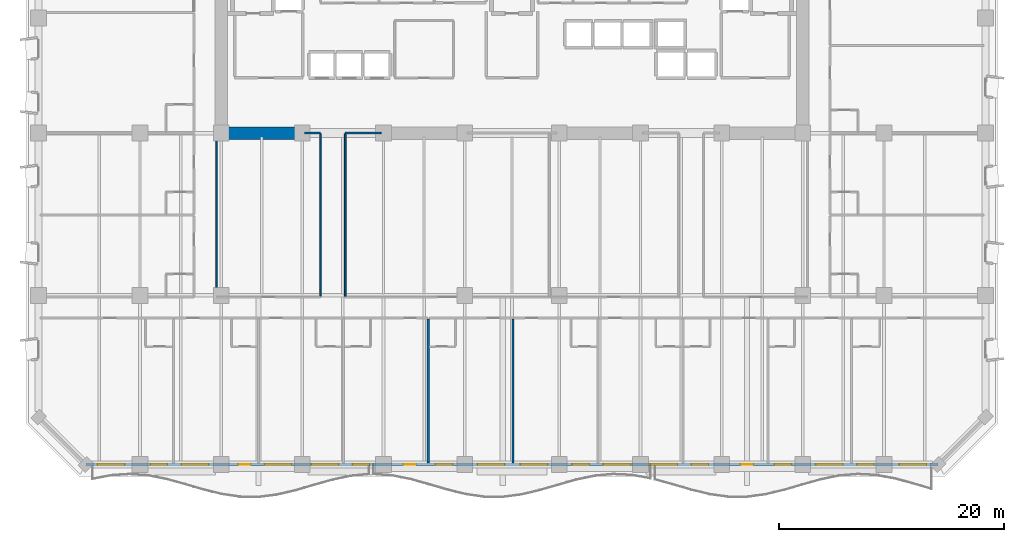
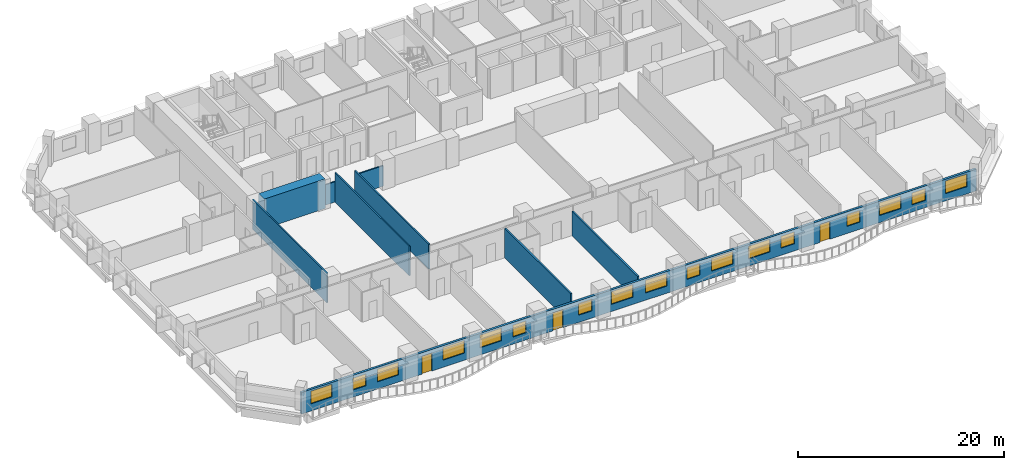
# One storey, part 5 of 15: 17 windows, 9 walls, 3 doors, 20 openings.
"""IFC4 building model written with IfcOpenShell, lengths in metres."""

import ifcopenshell
import ifcopenshell.guid

model = None  # the IFC model being written
_history = None  # IfcOwnerHistory: only IFC2X3 demands one
_inside = {}  # id of a spatial element -> (the spatial element, [elements in it])
_under = {}  # id of a project, library or spatial element -> (it, [spatial elements below it])
_declared = {}  # id of a project -> (the project, [libraries it declares])
_typed = {}  # id of a type object -> (the type object, [elements of that type])
_made_of = {}  # id of a material, layer set ... -> (it, [elements and type objects made of it])


def new_model(schema):
    """Start an empty IFC model of exactly this schema.

    Asked for "IFC4X3", IfcOpenShell would pick the latest addendum, in which some entities
    have other attributes; the version numbers below select the first issue.
    IFC2X3 requires an IfcOwnerHistory on every rooted entity: one is made here for all.
    """
    global model, _history
    if schema == "IFC4X3":
        model = ifcopenshell.file(schema_version=(4, 3, 0, 0))
    else:
        model = ifcopenshell.file(schema=schema)
    _inside.clear()
    _under.clear()
    _declared.clear()
    _typed.clear()
    _made_of.clear()
    _history = None
    if model.schema == "IFC2X3":
        org = make("IfcOrganization", Name="unknown")
        user = make(
            "IfcPersonAndOrganization",
            ThePerson=make("IfcPerson", FamilyName="unknown"),
            TheOrganization=org,
        )
        app = make(
            "IfcApplication",
            ApplicationDeveloper=org,
            Version="unknown",
            ApplicationFullName="unknown",
            ApplicationIdentifier="unknown",
        )
        _history = make(
            "IfcOwnerHistory",
            OwningUser=user,
            OwningApplication=app,
            ChangeAction="ADDED",
            CreationDate=0,
        )
    return model


def make(cls, **values):
    """One entity of the class cls with the attributes given. An attribute that is None is left unset."""
    return model.create_entity(
        cls, **{name: value for name, value in values.items() if value is not None}
    )


def rooted(cls, **values):
    """An entity with a GlobalId (a new one), such as an element, a storey or a relation."""
    return make(cls, GlobalId=ifcopenshell.guid.new(), OwnerHistory=_history, **values)


def si_unit(unit_type, name, prefix=None):
    """IfcSIUnit, for example si_unit("LENGTHUNIT", "METRE", prefix="MILLI")."""
    return make("IfcSIUnit", UnitType=unit_type, Prefix=prefix, Name=name)


def assignment(units):
    """IfcUnitAssignment: the units of a project."""
    return None if units is None else make("IfcUnitAssignment", Units=units)


def point(xyz):
    """IfcCartesianPoint."""
    return None if xyz is None else make("IfcCartesianPoint", Coordinates=xyz)


def direction(xyz):
    """IfcDirection."""
    return None if xyz is None else make("IfcDirection", DirectionRatios=xyz)


def frame(location, z_axis=None, x_axis=None):
    """IfcAxis2Placement3D, a coordinate frame: its origin and axes. An axis left out is left unset."""
    return make(
        "IfcAxis2Placement3D",
        Location=point(location),
        Axis=direction(z_axis),
        RefDirection=direction(x_axis),
    )


def frame_2d(location, x_axis=None):
    """IfcAxis2Placement2D, a coordinate frame in the plane: its origin and x axis."""
    return make(
        "IfcAxis2Placement2D", Location=point(location), RefDirection=direction(x_axis)
    )


def origin():
    """The frame at (0, 0, 0) with its axes left unset."""
    return frame((0.0, 0.0, 0.0))


def place(relative_to, where):
    """IfcLocalPlacement: puts the frame where relative to a parent placement (None: the world)."""
    return make(
        "IfcLocalPlacement", PlacementRelTo=relative_to, RelativePlacement=where
    )


def context(
    kind, dimensions, precision=None, world=None, true_north=None, identifier=None
):
    """IfcGeometricRepresentationContext, for example the 3D "Model" context."""
    return make(
        "IfcGeometricRepresentationContext",
        ContextIdentifier=identifier,
        ContextType=kind,
        CoordinateSpaceDimension=dimensions,
        Precision=precision,
        WorldCoordinateSystem=world,
        TrueNorth=true_north,
    )


def subcontext(parent, identifier, kind, view, scale=None):
    """IfcGeometricRepresentationSubContext, for example "Body" below "Model"."""
    return make(
        "IfcGeometricRepresentationSubContext",
        ContextIdentifier=identifier,
        ContextType=kind,
        ParentContext=parent,
        TargetScale=scale,
        TargetView=view,
    )


def project(units=None, contexts=None):
    """IfcProject with its units and contexts."""
    return rooted(
        "IfcProject",
        Name="project",
        RepresentationContexts=contexts,
        UnitsInContext=assignment(units),
    )


def spatial(cls, under=None, at=None, **own):
    """A site, building, storey or space (cls), placed at a placement, below another one or the project."""
    s = rooted(cls, ObjectPlacement=at, **own)
    if under is not None:
        _under.setdefault(under.id(), (under, []))[1].append(s)
    return s


def profile(cls, at=None, kind="AREA", **sizes):
    """A parametric profile (cls). Its sizes go by their IFC names, for example OverallWidth=200.0."""
    return make(cls, ProfileType=kind, Position=at, **sizes)


def rectangle(**sizes):
    """IfcRectangleProfileDef."""
    return profile("IfcRectangleProfileDef", **sizes)


def extrude(swept, where, along, depth):
    """IfcExtrudedAreaSolid: the profile swept, set in the frame where, extruded along a direction by depth."""
    return make(
        "IfcExtrudedAreaSolid",
        SweptArea=swept,
        Position=where,
        ExtrudedDirection=direction(along),
        Depth=depth,
    )


def shape(context_of_items, identifier, shape_type, items):
    """IfcShapeRepresentation: the items that make up one representation, for example the "Body"."""
    return make(
        "IfcShapeRepresentation",
        ContextOfItems=context_of_items,
        RepresentationIdentifier=identifier,
        RepresentationType=shape_type,
        Items=items,
    )


def material(Name=None, Category=None):
    """IfcMaterial."""
    return make("IfcMaterial", Name=Name, Category=Category)


def layer(
    of_material, thickness, ventilated=None, Name=None, Category=None, Priority=None
):
    """IfcMaterialLayer: one layer of a wall or slab, of a material (None: an air gap)."""
    return make(
        "IfcMaterialLayer",
        Material=of_material,
        LayerThickness=thickness,
        IsVentilated=ventilated,
        Name=Name,
        Category=Category,
        Priority=Priority,
    )


def layer_set(layers, Name=None):
    """IfcMaterialLayerSet."""
    return make("IfcMaterialLayerSet", MaterialLayers=layers, LayerSetName=Name)


def made_of(thing, what):
    """Note that an element or type object is made of a material, layer set ...; save() writes the relation."""
    if what is not None:
        _made_of.setdefault(what.id(), (what, []))[1].append(thing)
    return thing


def type_object(cls, material=None, **own):
    """A type object (cls), such as IfcWallType, which elements share."""
    return made_of(rooted(cls, **own), material)


def element(
    cls,
    number,
    at=None,
    inside=None,
    cuts=None,
    type_object=None,
    material=None,
    context=None,
    identifier="Body",
    shape_type=None,
    held_by="IfcProductDefinitionShape",
    body=None,
    shapes=None,
    **own,
):
    """One element of the class cls, such as IfcWall. Its Tag is "e" and its number.

    at: its placement. inside: the storey or other place that contains it. cuts: it is an
    opening in that element (IfcRelVoidsElement). A single representation is given by context,
    identifier, shape_type and body (its items); several are given by shapes. held_by: the class
    of the entity that holds the representations. save() writes the other relations.
    """
    e = rooted(cls, Tag="e%d" % number, ObjectPlacement=at, **own)
    if body is not None:
        shapes = [shape(context, identifier, shape_type, body)]
    if shapes is not None:
        e.Representation = make(held_by, Representations=shapes)
    if inside is not None:
        _inside.setdefault(inside.id(), (inside, []))[1].append(e)
    if cuts is not None:
        rooted(
            "IfcRelVoidsElement", RelatingBuildingElement=cuts, RelatedOpeningElement=e
        )
    if type_object is not None:
        _typed.setdefault(type_object.id(), (type_object, []))[1].append(e)
    return made_of(e, material)


def fill(opening, filler):
    """IfcRelFillsElement: the door or window that sits in an opening."""
    return rooted(
        "IfcRelFillsElement",
        RelatingOpeningElement=opening,
        RelatedBuildingElement=filler,
    )


def aggregate(whole, parts):
    """IfcRelAggregates: a whole, such as a stair, and the parts it consists of."""
    return rooted("IfcRelAggregates", RelatingObject=whole, RelatedObjects=parts)


def save(model, path):
    """Write the relations noted so far, then the file.

    IfcRelAggregates (storeys below a building ...), IfcRelContainedInSpatialStructure (elements
    in a storey), IfcRelDefinesByType, IfcRelAssociatesMaterial and IfcRelDeclares: one each for
    every whole, place, type object, material and project.
    """
    for whole, parts in _under.values():
        aggregate(whole, parts)
    for where, things in _inside.values():
        rooted(
            "IfcRelContainedInSpatialStructure",
            RelatedElements=things,
            RelatingStructure=where,
        )
    for kind, things in _typed.values():
        rooted("IfcRelDefinesByType", RelatedObjects=things, RelatingType=kind)
    for what, things in _made_of.values():
        rooted("IfcRelAssociatesMaterial", RelatedObjects=things, RelatingMaterial=what)
    for by, libraries in _declared.values():
        rooted("IfcRelDeclares", RelatingContext=by, RelatedDefinitions=libraries)
    model.write(path)


model = new_model("IFC4")

# Units and contexts
model_context = context("Model", 3, precision=1e-05, world=origin(), true_north=direction((0.0, 1.0)))
body_context = subcontext(model_context, "Body", "Model", "MODEL_VIEW")
ifc_project = project(units=[si_unit("LENGTHUNIT", "METRE"), si_unit("AREAUNIT", "SQUARE_METRE"), si_unit("VOLUMEUNIT", "CUBIC_METRE"), si_unit("PLANEANGLEUNIT", "RADIAN"), si_unit("MASSUNIT", "GRAM", prefix="KILO")], contexts=[model_context])

# Site, building, storey
site_placement = place(None, origin())
site = spatial("IfcSite", under=ifc_project, at=site_placement, CompositionType="ELEMENT")
building_placement = place(site_placement, origin())
building = spatial("IfcBuilding", under=site, at=building_placement, Name="Kaelvorn Grand Hotel", CompositionType="ELEMENT")
storey_placement = place(building_placement, frame((0.0, 0.0, 65.14990234375)))
storey = spatial("IfcBuildingStorey", under=building, at=storey_placement, Name="L14", CompositionType="ELEMENT", Elevation=65.14990234375)

# Wall
ifc_material_1 = material(Name="Concrete C80/95", Category="concrete")
ifc_layer_1 = layer(ifc_material_1, 1.10009765625)
ifc_layer_set_1 = layer_set([ifc_layer_1], Name="Concrete C80/95")
wall_type_1 = type_object("IfcWallType", Name="WL-CORE-1100-C80", PredefinedType="SHEAR", material=ifc_layer_set_1)
wall_1_placement = place(storey_placement, frame((16.7548828125, 29.39990234375, 0.0), z_axis=(0.0, 0.0, 1.0), x_axis=(1.0, 0.0, 0.0)))
element("IfcWall", 1, at=wall_1_placement, inside=storey, type_object=wall_type_1, Name="L14 Rear-Core Coupled Shear Pier S1", PredefinedType="SHEAR", context=body_context, shape_type="SweptSolid", body=[
    extrude(rectangle(XDim=6.84521484375, YDim=1.10009765625, at=frame_2d((3.422607421875, 0.0))), origin(), (0.0, 0.0, 1.0), 3.510009765625),
])

# Wall, openings, doors, windows
ifc_material_2 = material(Name="Concrete C40/50", Category="concrete")
ifc_layer_2 = layer(ifc_material_2, 0.260009765625)
ifc_layer_set_2 = layer_set([ifc_layer_2], Name="Concrete C40/50")
wall_type_2 = type_object("IfcWallType", Name="WL-EXT-260-C40", PredefinedType="SOLIDWALL", material=ifc_layer_set_2)
wall_2_placement = place(storey_placement, frame((4.199951171875, 0.0, 0.0), z_axis=(0.0, 0.0, 1.0), x_axis=(1.0, 0.0, 0.0)))
wall_2 = element("IfcWall", 2, at=wall_2_placement, inside=storey, type_object=wall_type_2, Name="L14 Exterior Architectural Concrete Wall 01", PredefinedType="SOLIDWALL", context=body_context, shape_type="SweptSolid", body=[
    extrude(rectangle(XDim=75.60009765625, YDim=0.260009765625, at=frame_2d((37.800048828125, 0.0))), origin(), (0.0, 0.0, 1.0), 2.56005859375),
])
opening_1_placement = place(wall_2_placement, frame((13.5166015625, 0.0, 0.0)))
opening_1 = element("IfcOpeningElement", 3, at=opening_1_placement, cuts=wall_2, Name="Opening DE2", PredefinedType="OPENING", context=body_context, shape_type="SweptSolid", body=[
    extrude(rectangle(XDim=1.10009765625, YDim=2.14990234375, at=frame_2d((0.550048828125, 1.074951171875))), frame((0.0, 0.14013671875, 0.0), z_axis=(0.0, -1.0, 0.0), x_axis=(1.0, 0.0, 0.0)), (0.0, 0.0, 1.0), 0.280029296875),
])
opening_2_placement = place(wall_2_placement, frame((28.183349609375, 0.0, 0.0)))
opening_2 = element("IfcOpeningElement", 4, at=opening_2_placement, cuts=wall_2, Name="Opening DE2", PredefinedType="OPENING", context=body_context, shape_type="SweptSolid", body=[
    extrude(rectangle(XDim=1.10009765625, YDim=2.14990234375, at=frame_2d((0.550048828125, 1.074951171875))), frame((0.0, 0.14013671875, 0.0), z_axis=(0.0, -1.0, 0.0), x_axis=(1.0, 0.0, 0.0)), (0.0, 0.0, 1.0), 0.280029296875),
])
opening_3_placement = place(wall_2_placement, frame((58.094482421875, 0.0, 0.0)))
opening_3 = element("IfcOpeningElement", 5, at=opening_3_placement, cuts=wall_2, Name="Opening DE2", PredefinedType="OPENING", context=body_context, shape_type="SweptSolid", body=[
    extrude(rectangle(XDim=1.10009765625, YDim=2.14990234375, at=frame_2d((0.550048828125, 1.074951171875))), frame((0.0, 0.14013671875, 0.0), z_axis=(0.0, -1.0, 0.0), x_axis=(1.0, 0.0, 0.0)), (0.0, 0.0, 1.0), 0.280029296875),
])
opening_4_placement = place(wall_2_placement, frame((1.034912109375, 0.0, 0.85009765625)))
opening_4 = element("IfcOpeningElement", 6, at=opening_4_placement, cuts=wall_2, Name="Opening W6", PredefinedType="OPENING", context=body_context, shape_type="SweptSolid", body=[
    extrude(rectangle(XDim=2.39990234375, YDim=1.5, at=frame_2d((1.199951171875, 0.75))), frame((0.0, 0.14013671875, 0.0), z_axis=(0.0, -1.0, 0.0), x_axis=(1.0, 0.0, 0.0)), (0.0, 0.0, 1.0), 0.280029296875),
])
opening_5_placement = place(wall_2_placement, frame((5.739990234375, 0.0, 0.85009765625)))
opening_5 = element("IfcOpeningElement", 7, at=opening_5_placement, cuts=wall_2, Name="Opening W10", PredefinedType="OPENING", context=body_context, shape_type="SweptSolid", body=[
    extrude(rectangle(XDim=1.5, YDim=1.39990234375, at=frame_2d((0.75, 0.699951171875))), frame((0.0, 0.14013671875, 0.0), z_axis=(0.0, -1.0, 0.0), x_axis=(1.0, 0.0, 0.0)), (0.0, 0.0, 1.0), 0.280029296875),
])
opening_6_placement = place(wall_2_placement, frame((8.489990234375, 0.0, 0.85009765625)))
opening_6 = element("IfcOpeningElement", 8, at=opening_6_placement, cuts=wall_2, Name="Opening W6", PredefinedType="OPENING", context=body_context, shape_type="SweptSolid", body=[
    extrude(rectangle(XDim=2.39990234375, YDim=1.5, at=frame_2d((1.199951171875, 0.75))), frame((0.0, 0.14013671875, 0.0), z_axis=(0.0, -1.0, 0.0), x_axis=(1.0, 0.0, 0.0)), (0.0, 0.0, 1.0), 0.280029296875),
])
opening_7_placement = place(wall_2_placement, frame((15.85498046875, 0.0, 0.85009765625)))
opening_7 = element("IfcOpeningElement", 9, at=opening_7_placement, cuts=wall_2, Name="Opening W6", PredefinedType="OPENING", context=body_context, shape_type="SweptSolid", body=[
    extrude(rectangle(XDim=2.39990234375, YDim=1.5, at=frame_2d((1.199951171875, 0.75))), frame((0.0, 0.14013671875, 0.0), z_axis=(0.0, -1.0, 0.0), x_axis=(1.0, 0.0, 0.0)), (0.0, 0.0, 1.0), 0.280029296875),
])
opening_8_placement = place(wall_2_placement, frame((20.02001953125, 0.0, 0.85009765625)))
opening_8 = element("IfcOpeningElement", 10, at=opening_8_placement, cuts=wall_2, Name="Opening W6", PredefinedType="OPENING", context=body_context, shape_type="SweptSolid", body=[
    extrude(rectangle(XDim=2.39990234375, YDim=1.5, at=frame_2d((1.199951171875, 0.75))), frame((0.0, 0.14013671875, 0.0), z_axis=(0.0, -1.0, 0.0), x_axis=(1.0, 0.0, 0.0)), (0.0, 0.0, 1.0), 0.280029296875),
])
opening_9_placement = place(wall_2_placement, frame((23.669921875, 0.0, 0.85009765625)))
opening_9 = element("IfcOpeningElement", 11, at=opening_9_placement, cuts=wall_2, Name="Opening W10", PredefinedType="OPENING", context=body_context, shape_type="SweptSolid", body=[
    extrude(rectangle(XDim=1.5, YDim=1.39990234375, at=frame_2d((0.75, 0.699951171875))), frame((0.0, 0.14013671875, 0.0), z_axis=(0.0, -1.0, 0.0), x_axis=(1.0, 0.0, 0.0)), (0.0, 0.0, 1.0), 0.280029296875),
])
opening_10_placement = place(wall_2_placement, frame((31.034912109375, 0.0, 0.85009765625)))
opening_10 = element("IfcOpeningElement", 12, at=opening_10_placement, cuts=wall_2, Name="Opening W10", PredefinedType="OPENING", context=body_context, shape_type="SweptSolid", body=[
    extrude(rectangle(XDim=1.5, YDim=1.39990234375, at=frame_2d((0.75, 0.699951171875))), frame((0.0, 0.14013671875, 0.0), z_axis=(0.0, -1.0, 0.0), x_axis=(1.0, 0.0, 0.0)), (0.0, 0.0, 1.0), 0.280029296875),
])
opening_11_placement = place(wall_2_placement, frame((34.75, 0.0, 0.85009765625)))
opening_11 = element("IfcOpeningElement", 13, at=opening_11_placement, cuts=wall_2, Name="Opening W6", PredefinedType="OPENING", context=body_context, shape_type="SweptSolid", body=[
    extrude(rectangle(XDim=2.39990234375, YDim=1.5, at=frame_2d((1.199951171875, 0.75))), frame((0.0, 0.14013671875, 0.0), z_axis=(0.0, -1.0, 0.0), x_axis=(1.0, 0.0, 0.0)), (0.0, 0.0, 1.0), 0.280029296875),
])
opening_12_placement = place(wall_2_placement, frame((38.550048828125, 0.0, 0.85009765625)))
opening_12 = element("IfcOpeningElement", 14, at=opening_12_placement, cuts=wall_2, Name="Opening W6", PredefinedType="OPENING", context=body_context, shape_type="SweptSolid", body=[
    extrude(rectangle(XDim=2.39990234375, YDim=1.5, at=frame_2d((1.199951171875, 0.75))), frame((0.0, 0.14013671875, 0.0), z_axis=(0.0, -1.0, 0.0), x_axis=(1.0, 0.0, 0.0)), (0.0, 0.0, 1.0), 0.280029296875),
])
opening_13_placement = place(wall_2_placement, frame((43.1650390625, 0.0, 0.85009765625)))
opening_13 = element("IfcOpeningElement", 15, at=opening_13_placement, cuts=wall_2, Name="Opening W10", PredefinedType="OPENING", context=body_context, shape_type="SweptSolid", body=[
    extrude(rectangle(XDim=1.5, YDim=1.39990234375, at=frame_2d((0.75, 0.699951171875))), frame((0.0, 0.14013671875, 0.0), z_axis=(0.0, -1.0, 0.0), x_axis=(1.0, 0.0, 0.0)), (0.0, 0.0, 1.0), 0.280029296875),
])
opening_14_placement = place(wall_2_placement, frame((45.9150390625, 0.0, 0.85009765625)))
opening_14 = element("IfcOpeningElement", 16, at=opening_14_placement, cuts=wall_2, Name="Opening W6", PredefinedType="OPENING", context=body_context, shape_type="SweptSolid", body=[
    extrude(rectangle(XDim=2.39990234375, YDim=1.5, at=frame_2d((1.199951171875, 0.75))), frame((0.0, 0.14013671875, 0.0), z_axis=(0.0, -1.0, 0.0), x_axis=(1.0, 0.0, 0.0)), (0.0, 0.0, 1.0), 0.280029296875),
])
opening_15_placement = place(wall_2_placement, frame((50.08056640625, 0.0, 0.85009765625)))
opening_15 = element("IfcOpeningElement", 17, at=opening_15_placement, cuts=wall_2, Name="Opening W6", PredefinedType="OPENING", context=body_context, shape_type="SweptSolid", body=[
    extrude(rectangle(XDim=2.39990234375, YDim=1.5, at=frame_2d((1.199951171875, 0.75))), frame((0.0, 0.14013671875, 0.0), z_axis=(0.0, -1.0, 0.0), x_axis=(1.0, 0.0, 0.0)), (0.0, 0.0, 1.0), 0.280029296875),
])
opening_16_placement = place(wall_2_placement, frame((53.73046875, 0.0, 0.85009765625)))
opening_16 = element("IfcOpeningElement", 18, at=opening_16_placement, cuts=wall_2, Name="Opening W10", PredefinedType="OPENING", context=body_context, shape_type="SweptSolid", body=[
    extrude(rectangle(XDim=1.5, YDim=1.39990234375, at=frame_2d((0.75, 0.699951171875))), frame((0.0, 0.14013671875, 0.0), z_axis=(0.0, -1.0, 0.0), x_axis=(1.0, 0.0, 0.0)), (0.0, 0.0, 1.0), 0.280029296875),
])
opening_17_placement = place(wall_2_placement, frame((61.095458984375, 0.0, 0.85009765625)))
opening_17 = element("IfcOpeningElement", 19, at=opening_17_placement, cuts=wall_2, Name="Opening W10", PredefinedType="OPENING", context=body_context, shape_type="SweptSolid", body=[
    extrude(rectangle(XDim=1.5, YDim=1.39990234375, at=frame_2d((0.75, 0.699951171875))), frame((0.0, 0.14013671875, 0.0), z_axis=(0.0, -1.0, 0.0), x_axis=(1.0, 0.0, 0.0)), (0.0, 0.0, 1.0), 0.280029296875),
])
opening_18_placement = place(wall_2_placement, frame((64.760009765625, 0.0, 0.85009765625)))
opening_18 = element("IfcOpeningElement", 20, at=opening_18_placement, cuts=wall_2, Name="Opening W6", PredefinedType="OPENING", context=body_context, shape_type="SweptSolid", body=[
    extrude(rectangle(XDim=2.39990234375, YDim=1.5, at=frame_2d((1.199951171875, 0.75))), frame((0.0, 0.14013671875, 0.0), z_axis=(0.0, -1.0, 0.0), x_axis=(1.0, 0.0, 0.0)), (0.0, 0.0, 1.0), 0.280029296875),
])
opening_19_placement = place(wall_2_placement, frame((68.409912109375, 0.0, 0.85009765625)))
opening_19 = element("IfcOpeningElement", 21, at=opening_19_placement, cuts=wall_2, Name="Opening W10", PredefinedType="OPENING", context=body_context, shape_type="SweptSolid", body=[
    extrude(rectangle(XDim=1.5, YDim=1.39990234375, at=frame_2d((0.75, 0.699951171875))), frame((0.0, 0.14013671875, 0.0), z_axis=(0.0, -1.0, 0.0), x_axis=(1.0, 0.0, 0.0)), (0.0, 0.0, 1.0), 0.280029296875),
])
opening_20_placement = place(wall_2_placement, frame((72.1650390625, 0.0, 0.85009765625)))
opening_20 = element("IfcOpeningElement", 22, at=opening_20_placement, cuts=wall_2, Name="Opening W6", PredefinedType="OPENING", context=body_context, shape_type="SweptSolid", body=[
    extrude(rectangle(XDim=2.39990234375, YDim=1.5, at=frame_2d((1.199951171875, 0.75))), frame((0.0, 0.14013671875, 0.0), z_axis=(0.0, -1.0, 0.0), x_axis=(1.0, 0.0, 0.0)), (0.0, 0.0, 1.0), 0.280029296875),
])
ifc_material_3 = material(Name="Anodised Aluminium", Category="aluminium")
door_type = type_object("IfcDoorType", Name="DR-EXT-BALC-1100x2150", OperationType="NOTDEFINED", PredefinedType="DOOR", material=ifc_material_3)
door_1_placement = place(opening_1_placement, origin())
door_1 = element("IfcDoor", 23, at=door_1_placement, inside=storey, type_object=door_type, Name="L14 Scalloped Balcony Glazed Door DE2-1", OperationType="SINGLE_SWING_LEFT", OverallHeight=2.14990234375, OverallWidth=1.10009765625, PredefinedType="DOOR", context=body_context, shape_type="SweptSolid", body=[
    extrude(rectangle(XDim=1.10009765625, YDim=2.14990234375, at=frame_2d((0.550048828125, 1.074951171875))), frame((0.0, 0.02490234375, 0.0), z_axis=(0.0, -1.0, 0.0), x_axis=(1.0, 0.0, 0.0)), (0.0, 0.0, 1.0), 0.050048828125),
])
fill(opening_1, door_1)
door_2_placement = place(opening_2_placement, origin())
door_2 = element("IfcDoor", 24, at=door_2_placement, inside=storey, type_object=door_type, Name="L14 Scalloped Balcony Glazed Door DE2-2", OperationType="SINGLE_SWING_RIGHT", OverallHeight=2.14990234375, OverallWidth=1.10009765625, PredefinedType="DOOR", context=body_context, shape_type="SweptSolid", body=[
    extrude(rectangle(XDim=1.10009765625, YDim=2.14990234375, at=frame_2d((0.550048828125, 1.074951171875))), frame((0.0, 0.02490234375, 0.0), z_axis=(0.0, -1.0, 0.0), x_axis=(1.0, 0.0, 0.0)), (0.0, 0.0, 1.0), 0.050048828125),
])
fill(opening_2, door_2)
door_3_placement = place(opening_3_placement, origin())
door_3 = element("IfcDoor", 25, at=door_3_placement, inside=storey, type_object=door_type, Name="L14 Scalloped Balcony Glazed Door DE2-3", OperationType="SINGLE_SWING_LEFT", OverallHeight=2.14990234375, OverallWidth=1.10009765625, PredefinedType="DOOR", context=body_context, shape_type="SweptSolid", body=[
    extrude(rectangle(XDim=1.10009765625, YDim=2.14990234375, at=frame_2d((0.550048828125, 1.074951171875))), frame((0.0, 0.02490234375, 0.0), z_axis=(0.0, -1.0, 0.0), x_axis=(1.0, 0.0, 0.0)), (0.0, 0.0, 1.0), 0.050048828125),
])
fill(opening_3, door_3)
ifc_material_4 = material(Name="Laminated Low-E Glass", Category="glass")
window_type_1 = type_object("IfcWindowType", Name="WIN-COR-1500x1400", PartitioningType="SINGLE_PANEL", PredefinedType="WINDOW", material=ifc_material_4)
window_1_placement = place(opening_5_placement, origin())
window_1 = element("IfcWindow", 26, at=window_1_placement, inside=storey, type_object=window_type_1, Name="L14 South Guestroom Ribbon Window SR02", OverallHeight=1.39990234375, OverallWidth=1.5, PartitioningType="SINGLE_PANEL", PredefinedType="WINDOW", context=body_context, shape_type="SweptSolid", body=[
    extrude(rectangle(XDim=1.5, YDim=1.39990234375, at=frame_2d((0.75, 0.699951171875))), frame((0.0, 0.030029296875, 0.0), z_axis=(0.0, -1.0, 0.0), x_axis=(1.0, 0.0, 0.0)), (0.0, 0.0, 1.0), 0.06005859375),
])
fill(opening_5, window_1)
window_2_placement = place(opening_9_placement, origin())
window_2 = element("IfcWindow", 27, at=window_2_placement, inside=storey, type_object=window_type_1, Name="L14 South Guestroom Ribbon Window SR06", OverallHeight=1.39990234375, OverallWidth=1.5, PartitioningType="SINGLE_PANEL", PredefinedType="WINDOW", context=body_context, shape_type="SweptSolid", body=[
    extrude(rectangle(XDim=1.5, YDim=1.39990234375, at=frame_2d((0.75, 0.699951171875))), frame((0.0, 0.030029296875, 0.0), z_axis=(0.0, -1.0, 0.0), x_axis=(1.0, 0.0, 0.0)), (0.0, 0.0, 1.0), 0.06005859375),
])
fill(opening_9, window_2)
window_3_placement = place(opening_10_placement, origin())
window_3 = element("IfcWindow", 28, at=window_3_placement, inside=storey, type_object=window_type_1, Name="L14 South Guestroom Ribbon Window SR07", OverallHeight=1.39990234375, OverallWidth=1.5, PartitioningType="SINGLE_PANEL", PredefinedType="WINDOW", context=body_context, shape_type="SweptSolid", body=[
    extrude(rectangle(XDim=1.5, YDim=1.39990234375, at=frame_2d((0.75, 0.699951171875))), frame((0.0, 0.030029296875, 0.0), z_axis=(0.0, -1.0, 0.0), x_axis=(1.0, 0.0, 0.0)), (0.0, 0.0, 1.0), 0.06005859375),
])
fill(opening_10, window_3)
window_4_placement = place(opening_13_placement, origin())
window_4 = element("IfcWindow", 29, at=window_4_placement, inside=storey, type_object=window_type_1, Name="L14 South Guestroom Ribbon Window SR10", OverallHeight=1.39990234375, OverallWidth=1.5, PartitioningType="SINGLE_PANEL", PredefinedType="WINDOW", context=body_context, shape_type="SweptSolid", body=[
    extrude(rectangle(XDim=1.5, YDim=1.39990234375, at=frame_2d((0.75, 0.699951171875))), frame((0.0, 0.030029296875, 0.0), z_axis=(0.0, -1.0, 0.0), x_axis=(1.0, 0.0, 0.0)), (0.0, 0.0, 1.0), 0.06005859375),
])
fill(opening_13, window_4)
window_5_placement = place(opening_16_placement, origin())
window_5 = element("IfcWindow", 30, at=window_5_placement, inside=storey, type_object=window_type_1, Name="L14 South Guestroom Ribbon Window SR13", OverallHeight=1.39990234375, OverallWidth=1.5, PartitioningType="SINGLE_PANEL", PredefinedType="WINDOW", context=body_context, shape_type="SweptSolid", body=[
    extrude(rectangle(XDim=1.5, YDim=1.39990234375, at=frame_2d((0.75, 0.699951171875))), frame((0.0, 0.030029296875, 0.0), z_axis=(0.0, -1.0, 0.0), x_axis=(1.0, 0.0, 0.0)), (0.0, 0.0, 1.0), 0.06005859375),
])
fill(opening_16, window_5)
window_6_placement = place(opening_17_placement, origin())
window_6 = element("IfcWindow", 31, at=window_6_placement, inside=storey, type_object=window_type_1, Name="L14 South Guestroom Ribbon Window SR14", OverallHeight=1.39990234375, OverallWidth=1.5, PartitioningType="SINGLE_PANEL", PredefinedType="WINDOW", context=body_context, shape_type="SweptSolid", body=[
    extrude(rectangle(XDim=1.5, YDim=1.39990234375, at=frame_2d((0.75, 0.699951171875))), frame((0.0, 0.030029296875, 0.0), z_axis=(0.0, -1.0, 0.0), x_axis=(1.0, 0.0, 0.0)), (0.0, 0.0, 1.0), 0.06005859375),
])
fill(opening_17, window_6)
window_7_placement = place(opening_19_placement, origin())
window_7 = element("IfcWindow", 32, at=window_7_placement, inside=storey, type_object=window_type_1, Name="L14 South Guestroom Ribbon Window SR16", OverallHeight=1.39990234375, OverallWidth=1.5, PartitioningType="SINGLE_PANEL", PredefinedType="WINDOW", context=body_context, shape_type="SweptSolid", body=[
    extrude(rectangle(XDim=1.5, YDim=1.39990234375, at=frame_2d((0.75, 0.699951171875))), frame((0.0, 0.030029296875, 0.0), z_axis=(0.0, -1.0, 0.0), x_axis=(1.0, 0.0, 0.0)), (0.0, 0.0, 1.0), 0.06005859375),
])
fill(opening_19, window_7)
window_type_2 = type_object("IfcWindowType", Name="WIN-NTH-2400x1500", PartitioningType="SINGLE_PANEL", PredefinedType="WINDOW", material=ifc_material_4)
window_8_placement = place(opening_4_placement, origin())
window_8 = element("IfcWindow", 33, at=window_8_placement, inside=storey, type_object=window_type_2, Name="L14 South Guestroom Ribbon Window SR01", OverallHeight=1.5, OverallWidth=2.39990234375, PartitioningType="SINGLE_PANEL", PredefinedType="WINDOW", context=body_context, shape_type="SweptSolid", body=[
    extrude(rectangle(XDim=2.39990234375, YDim=1.5, at=frame_2d((1.199951171875, 0.75))), frame((0.0, 0.030029296875, 0.0), z_axis=(0.0, -1.0, 0.0), x_axis=(1.0, 0.0, 0.0)), (0.0, 0.0, 1.0), 0.06005859375),
])
fill(opening_4, window_8)
window_9_placement = place(opening_6_placement, origin())
window_9 = element("IfcWindow", 34, at=window_9_placement, inside=storey, type_object=window_type_2, Name="L14 South Guestroom Ribbon Window SR03", OverallHeight=1.5, OverallWidth=2.39990234375, PartitioningType="SINGLE_PANEL", PredefinedType="WINDOW", context=body_context, shape_type="SweptSolid", body=[
    extrude(rectangle(XDim=2.39990234375, YDim=1.5, at=frame_2d((1.199951171875, 0.75))), frame((0.0, 0.030029296875, 0.0), z_axis=(0.0, -1.0, 0.0), x_axis=(1.0, 0.0, 0.0)), (0.0, 0.0, 1.0), 0.06005859375),
])
fill(opening_6, window_9)
window_10_placement = place(opening_7_placement, origin())
window_10 = element("IfcWindow", 35, at=window_10_placement, inside=storey, type_object=window_type_2, Name="L14 South Guestroom Ribbon Window SR04", OverallHeight=1.5, OverallWidth=2.39990234375, PartitioningType="SINGLE_PANEL", PredefinedType="WINDOW", context=body_context, shape_type="SweptSolid", body=[
    extrude(rectangle(XDim=2.39990234375, YDim=1.5, at=frame_2d((1.199951171875, 0.75))), frame((0.0, 0.030029296875, 0.0), z_axis=(0.0, -1.0, 0.0), x_axis=(1.0, 0.0, 0.0)), (0.0, 0.0, 1.0), 0.06005859375),
])
fill(opening_7, window_10)
window_11_placement = place(opening_8_placement, origin())
window_11 = element("IfcWindow", 36, at=window_11_placement, inside=storey, type_object=window_type_2, Name="L14 South Guestroom Ribbon Window SR05", OverallHeight=1.5, OverallWidth=2.39990234375, PartitioningType="SINGLE_PANEL", PredefinedType="WINDOW", context=body_context, shape_type="SweptSolid", body=[
    extrude(rectangle(XDim=2.39990234375, YDim=1.5, at=frame_2d((1.199951171875, 0.75))), frame((0.0, 0.030029296875, 0.0), z_axis=(0.0, -1.0, 0.0), x_axis=(1.0, 0.0, 0.0)), (0.0, 0.0, 1.0), 0.06005859375),
])
fill(opening_8, window_11)
window_12_placement = place(opening_11_placement, origin())
window_12 = element("IfcWindow", 37, at=window_12_placement, inside=storey, type_object=window_type_2, Name="L14 South Guestroom Ribbon Window SR08", OverallHeight=1.5, OverallWidth=2.39990234375, PartitioningType="SINGLE_PANEL", PredefinedType="WINDOW", context=body_context, shape_type="SweptSolid", body=[
    extrude(rectangle(XDim=2.39990234375, YDim=1.5, at=frame_2d((1.199951171875, 0.75))), frame((0.0, 0.030029296875, 0.0), z_axis=(0.0, -1.0, 0.0), x_axis=(1.0, 0.0, 0.0)), (0.0, 0.0, 1.0), 0.06005859375),
])
fill(opening_11, window_12)
window_13_placement = place(opening_12_placement, origin())
window_13 = element("IfcWindow", 38, at=window_13_placement, inside=storey, type_object=window_type_2, Name="L14 South Guestroom Ribbon Window SR09", OverallHeight=1.5, OverallWidth=2.39990234375, PartitioningType="SINGLE_PANEL", PredefinedType="WINDOW", context=body_context, shape_type="SweptSolid", body=[
    extrude(rectangle(XDim=2.39990234375, YDim=1.5, at=frame_2d((1.199951171875, 0.75))), frame((0.0, 0.030029296875, 0.0), z_axis=(0.0, -1.0, 0.0), x_axis=(1.0, 0.0, 0.0)), (0.0, 0.0, 1.0), 0.06005859375),
])
fill(opening_12, window_13)
window_14_placement = place(opening_14_placement, origin())
window_14 = element("IfcWindow", 39, at=window_14_placement, inside=storey, type_object=window_type_2, Name="L14 South Guestroom Ribbon Window SR11", OverallHeight=1.5, OverallWidth=2.39990234375, PartitioningType="SINGLE_PANEL", PredefinedType="WINDOW", context=body_context, shape_type="SweptSolid", body=[
    extrude(rectangle(XDim=2.39990234375, YDim=1.5, at=frame_2d((1.199951171875, 0.75))), frame((0.0, 0.030029296875, 0.0), z_axis=(0.0, -1.0, 0.0), x_axis=(1.0, 0.0, 0.0)), (0.0, 0.0, 1.0), 0.06005859375),
])
fill(opening_14, window_14)
window_15_placement = place(opening_15_placement, origin())
window_15 = element("IfcWindow", 40, at=window_15_placement, inside=storey, type_object=window_type_2, Name="L14 South Guestroom Ribbon Window SR12", OverallHeight=1.5, OverallWidth=2.39990234375, PartitioningType="SINGLE_PANEL", PredefinedType="WINDOW", context=body_context, shape_type="SweptSolid", body=[
    extrude(rectangle(XDim=2.39990234375, YDim=1.5, at=frame_2d((1.199951171875, 0.75))), frame((0.0, 0.030029296875, 0.0), z_axis=(0.0, -1.0, 0.0), x_axis=(1.0, 0.0, 0.0)), (0.0, 0.0, 1.0), 0.06005859375),
])
fill(opening_15, window_15)
window_16_placement = place(opening_18_placement, origin())
window_16 = element("IfcWindow", 41, at=window_16_placement, inside=storey, type_object=window_type_2, Name="L14 South Guestroom Ribbon Window SR15", OverallHeight=1.5, OverallWidth=2.39990234375, PartitioningType="SINGLE_PANEL", PredefinedType="WINDOW", context=body_context, shape_type="SweptSolid", body=[
    extrude(rectangle(XDim=2.39990234375, YDim=1.5, at=frame_2d((1.199951171875, 0.75))), frame((0.0, 0.030029296875, 0.0), z_axis=(0.0, -1.0, 0.0), x_axis=(1.0, 0.0, 0.0)), (0.0, 0.0, 1.0), 0.06005859375),
])
fill(opening_18, window_16)
window_17_placement = place(opening_20_placement, origin())
window_17 = element("IfcWindow", 42, at=window_17_placement, inside=storey, type_object=window_type_2, Name="L14 South Guestroom Ribbon Window SR17", OverallHeight=1.5, OverallWidth=2.39990234375, PartitioningType="SINGLE_PANEL", PredefinedType="WINDOW", context=body_context, shape_type="SweptSolid", body=[
    extrude(rectangle(XDim=2.39990234375, YDim=1.5, at=frame_2d((1.199951171875, 0.75))), frame((0.0, 0.030029296875, 0.0), z_axis=(0.0, -1.0, 0.0), x_axis=(1.0, 0.0, 0.0)), (0.0, 0.0, 1.0), 0.06005859375),
])
fill(opening_20, window_17)

# Walls
ifc_material_5 = material(Name="Acoustic Gypsum & Stud Partition")
ifc_layer_3 = layer(ifc_material_5, 0.14990234375)
ifc_layer_set_3 = layer_set([ifc_layer_3], Name="Acoustic Gypsum & Stud Partition")
wall_type_3 = type_object("IfcWallType", Name="WL-PART-150-EI60", PredefinedType="PARTITIONING", material=ifc_layer_set_3)
wall_3_placement = place(storey_placement, frame((23.610107421875, 29.39990234375, 0.0), z_axis=(0.0, 0.0, 1.0), x_axis=(1.0, 0.0, 0.0)))
element("IfcWall", 43, at=wall_3_placement, inside=storey, type_object=wall_type_3, Name="L14 Wellness Spa Salon N Partition", PredefinedType="PARTITIONING", context=body_context, shape_type="SweptSolid", body=[
    extrude(rectangle(XDim=1.389892578125, YDim=0.14990234375, at=frame_2d((0.69482421875, 0.0))), origin(), (0.0, 0.0, 1.0), 2.41015625),
])
wall_4_placement = place(storey_placement, frame((15.800048828125, 14.929931640625, 0.0), z_axis=(0.0, 0.0, 1.0), x_axis=(0.0, 1.0, 0.0)))
element("IfcWall", 44, at=wall_4_placement, inside=storey, type_object=wall_type_3, Name="L14 Wellness Spa Salon W Partition", PredefinedType="PARTITIONING", context=body_context, shape_type="SweptSolid", body=[
    extrude(rectangle(XDim=14.4599609375, YDim=0.14990234375, at=frame_2d((7.22998046875, 0.0))), origin(), (0.0, 0.0, 1.0), 3.510009765625),
])
wall_5_placement = place(storey_placement, frame((25.0, 14.929931640625, 0.0), z_axis=(0.0, 0.0, 1.0), x_axis=(0.0, 1.0, 0.0)))
element("IfcWall", 45, at=wall_5_placement, inside=storey, type_object=wall_type_3, Name="L14 Wellness Spa Salon E Partition", PredefinedType="PARTITIONING", context=body_context, shape_type="SweptSolid", body=[
    extrude(rectangle(XDim=14.39013671875, YDim=0.14990234375, at=frame_2d((7.195068359375, 0.0))), origin(), (0.0, 0.0, 1.0), 3.510009765625),
])
wall_6_placement = place(storey_placement, frame((27.199951171875, 29.39990234375, 0.0), z_axis=(0.0, 0.0, 1.0), x_axis=(1.0, 0.0, 0.0)))
element("IfcWall", 46, at=wall_6_placement, inside=storey, type_object=wall_type_3, Name="L14 Guest Pantry Kitchen N Partition (1)", PredefinedType="PARTITIONING", context=body_context, shape_type="SweptSolid", body=[
    extrude(rectangle(XDim=3.18994140625, YDim=0.14990234375, at=frame_2d((1.594970703125, 0.0))), origin(), (0.0, 0.0, 1.0), 2.41015625),
])
wall_7_placement = place(storey_placement, frame((27.199951171875, 14.929931640625, 0.0), z_axis=(0.0, 0.0, 1.0), x_axis=(0.0, 1.0, 0.0)))
element("IfcWall", 47, at=wall_7_placement, inside=storey, type_object=wall_type_3, Name="L14 Guest Pantry Kitchen W Partition", PredefinedType="PARTITIONING", context=body_context, shape_type="SweptSolid", body=[
    extrude(rectangle(XDim=14.39013671875, YDim=0.14990234375, at=frame_2d((7.195068359375, 0.0))), origin(), (0.0, 0.0, 1.0), 2.97705078125),
])
ifc_layer_4 = layer(ifc_material_5, 0.179931640625)
ifc_layer_set_4 = layer_set([ifc_layer_4], Name="Acoustic Gypsum & Stud Partition")
wall_type_4 = type_object("IfcWallType", Name="WL-PART-180-EI60", PredefinedType="PARTITIONING", material=ifc_layer_set_4)
wall_8_placement = place(storey_placement, frame((34.5703125, 0.14990234375, 0.0), z_axis=(0.0, 0.0, 1.0), x_axis=(0.0, 1.0, 0.0)))
element("IfcWall", 48, at=wall_8_placement, inside=storey, type_object=wall_type_4, Name="L14 Deluxe Panoramic Suite L14-04 E Partition", PredefinedType="PARTITIONING", context=body_context, shape_type="SweptSolid", body=[
    extrude(rectangle(XDim=12.755126953125, YDim=0.179931640625, at=frame_2d((6.37744140625, 0.0))), origin(), (0.0, 0.0, 1.0), 3.510009765625),
])
wall_9_placement = place(storey_placement, frame((42.100341796875, 0.14990234375, 0.0), z_axis=(0.0, 0.0, 1.0), x_axis=(0.0, 1.0, 0.0)))
element("IfcWall", 49, at=wall_9_placement, inside=storey, type_object=wall_type_4, Name="L14 Deluxe Panoramic Suite L14-05 E Partition", PredefinedType="PARTITIONING", context=body_context, shape_type="SweptSolid", body=[
    extrude(rectangle(XDim=12.755126953125, YDim=0.179931640625, at=frame_2d((6.37744140625, 0.0))), origin(), (0.0, 0.0, 1.0), 2.89794921875),
])

save(model, "model.ifc")
